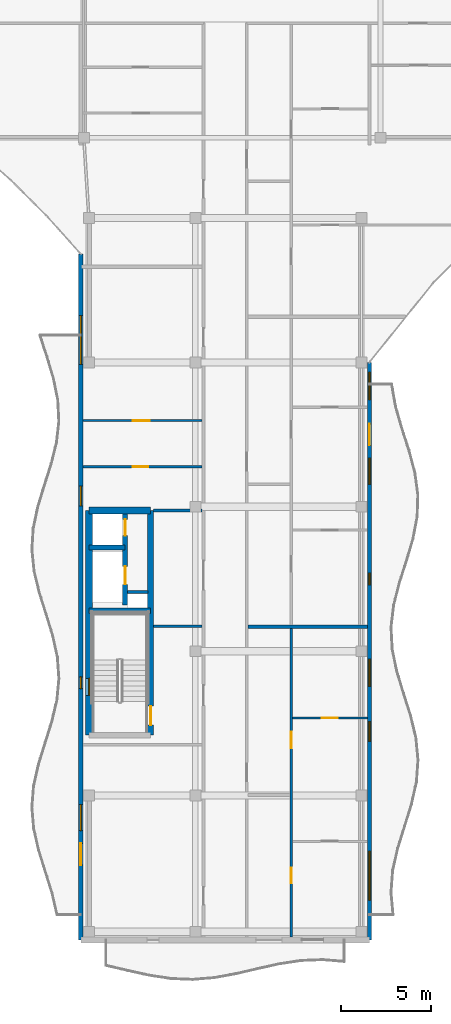
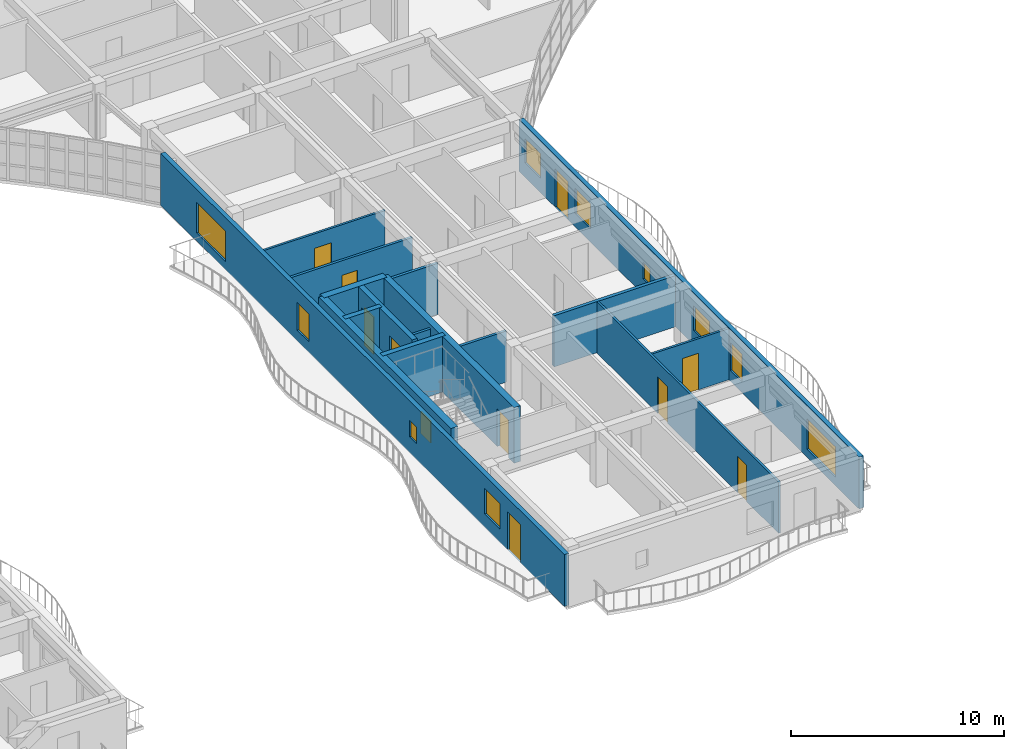
# One storey, part 32 of 76: 16 walls, 11 windows, 10 doors, 21 openings.
"""IFC4 building model written with IfcOpenShell, lengths in metres."""

from ifc_helpers import new_model, si_unit, direction, frame, frame_2d, origin, place, context, subcontext, project, spatial, rectangle, extrude, material, layer, layer_set, type_object, element, fill, save


model = new_model("IFC4")

# Units and contexts
model_context = context("Model", 3, precision=1e-05, world=origin(), true_north=direction((0.0, 1.0)))
body_context = subcontext(model_context, "Body", "Model", "MODEL_VIEW")
ifc_project = project(units=[si_unit("LENGTHUNIT", "METRE"), si_unit("AREAUNIT", "SQUARE_METRE"), si_unit("VOLUMEUNIT", "CUBIC_METRE"), si_unit("PLANEANGLEUNIT", "RADIAN"), si_unit("MASSUNIT", "GRAM", prefix="KILO")], contexts=[model_context])

# Site, building, storey
site_placement = place(None, origin())
site = spatial("IfcSite", under=ifc_project, at=site_placement, CompositionType="ELEMENT")
building_placement = place(site_placement, origin())
building = spatial("IfcBuilding", under=site, at=building_placement, Name="Keldmere Railside Commons", CompositionType="ELEMENT")
storey_placement = place(building_placement, frame((0.0, 0.0, 13.760009765625)))
storey = spatial("IfcBuildingStorey", under=building, at=storey_placement, Name="L04", CompositionType="ELEMENT", Elevation=13.760009765625)

# Wall
ifc_material_1 = material(Name="Acoustic Gypsum Board Partition", Category="gypsum")
ifc_layer_1 = layer(ifc_material_1, 0.179931640625, Name="Acoustic Demising Partition 180")
ifc_layer_set_1 = layer_set([ifc_layer_1], Name="Acoustic Gypsum Board Partition")
wall_type_1 = type_object("IfcWallType", Name="Acoustic Demising Partition 180", PredefinedType="PARTITIONING", material=ifc_layer_set_1)
wall_1_placement = place(storey_placement, frame((57.280029296875, 73.35009765625, 0.0), z_axis=(0.0, 0.0, 1.0), x_axis=(1.0, 0.0, 0.0)))
element("IfcWall", 1, at=wall_1_placement, inside=storey, type_object=wall_type_1, Name="IW-1 IW-L04-0648", PredefinedType="PARTITIONING", context=body_context, shape_type="SweptSolid", body=[
    extrude(rectangle(XDim=6.599853515625, YDim=0.179931640625, at=frame_2d((3.2998046875, 0.0))), origin(), (0.0, 0.0, 1.0), 2.93505859375),
])

# Wall, openings, doors
ifc_layer_2 = layer(ifc_material_1, 0.1201171875, Name="Apartment Interior Partition 120")
ifc_layer_set_2 = layer_set([ifc_layer_2], Name="Acoustic Gypsum Board Partition")
wall_type_2 = type_object("IfcWallType", Name="Apartment Interior Partition 120", PredefinedType="PARTITIONING", material=ifc_layer_set_2)
wall_2_placement = place(storey_placement, frame((59.659912109375, 56.159912109375, 0.0), z_axis=(0.0, 0.0, 1.0), x_axis=(0.0, 1.0, 0.0)))
wall_2 = element("IfcWall", 2, at=wall_2_placement, inside=storey, type_object=wall_type_2, Name="IW-4 IW-L04-0650", PredefinedType="PARTITIONING", context=body_context, shape_type="SweptSolid", body=[
    extrude(rectangle(XDim=17.10009765625, YDim=0.1201171875, at=frame_2d((8.550048828125, 0.0))), origin(), (0.0, 0.0, 1.0), 2.93505859375),
])
opening_1_placement = place(wall_2_placement, frame((2.990478515625, 0.0, 0.0)))
opening_1 = element("IfcOpeningElement", 3, at=opening_1_placement, cuts=wall_2, Name="Opening ID-04", PredefinedType="OPENING", context=body_context, shape_type="SweptSolid", body=[
    extrude(rectangle(XDim=0.860107421875, YDim=2.10009765625, at=frame_2d((0.43017578125, 1.050048828125))), frame((0.0, 0.070068359375, 0.0), z_axis=(0.0, -1.0, 0.0), x_axis=(1.0, 0.0, 0.0)), (0.0, 0.0, 1.0), 0.14013671875),
])
opening_2_placement = place(wall_2_placement, frame((10.454345703125, 0.0, 0.0)))
opening_2 = element("IfcOpeningElement", 4, at=opening_2_placement, cuts=wall_2, Name="Opening ID-03", PredefinedType="OPENING", context=body_context, shape_type="SweptSolid", body=[
    extrude(rectangle(XDim=0.919921875, YDim=2.10009765625, at=frame_2d((0.4599609375, 1.050048828125))), frame((0.0, 0.070068359375, 0.0), z_axis=(0.0, -1.0, 0.0), x_axis=(1.0, 0.0, 0.0)), (0.0, 0.0, 1.0), 0.14013671875),
])
ifc_material_2 = material(Name="Engineered Oak Timber", Category="wood")
door_type_1 = type_object("IfcDoorType", Name="Apartment Bathroom Door 860x2100", OperationType="NOTDEFINED", PredefinedType="DOOR", material=ifc_material_2)
door_1_placement = place(opening_1_placement, origin())
door_1 = element("IfcDoor", 5, at=door_1_placement, inside=storey, type_object=door_type_1, Name="ID-04 IDR-L04-0534", OperationType="SINGLE_SWING_RIGHT", OverallHeight=2.10009765625, OverallWidth=0.860107421875, PredefinedType="DOOR", context=body_context, shape_type="SweptSolid", body=[
    extrude(rectangle(XDim=0.860107421875, YDim=2.10009765625, at=frame_2d((0.43017578125, 1.050048828125))), frame((0.0, 0.02490234375, 0.0), z_axis=(0.0, -1.0, 0.0), x_axis=(1.0, 0.0, 0.0)), (0.0, 0.0, 1.0), 0.050048828125),
])
fill(opening_1, door_1)
door_type_2 = type_object("IfcDoorType", Name="Kitchen Pocket-Frame Swing Door 920x2100", OperationType="NOTDEFINED", PredefinedType="DOOR", material=ifc_material_2)
door_2_placement = place(opening_2_placement, origin())
door_2 = element("IfcDoor", 6, at=door_2_placement, inside=storey, type_object=door_type_2, Name="ID-03 IDR-L04-0535", OperationType="SINGLE_SWING_LEFT", OverallHeight=2.10009765625, OverallWidth=0.919921875, PredefinedType="DOOR", context=body_context, shape_type="SweptSolid", body=[
    extrude(rectangle(XDim=0.919921875, YDim=2.10009765625, at=frame_2d((0.4599609375, 1.050048828125))), frame((0.0, 0.02490234375, 0.0), z_axis=(0.0, -1.0, 0.0), x_axis=(1.0, 0.0, 0.0)), (0.0, 0.0, 1.0), 0.050048828125),
])
fill(opening_2, door_2)

# Wall, opening, door
wall_3_placement = place(storey_placement, frame((59.719970703125, 68.300048828125, 0.0), z_axis=(0.0, 0.0, 1.0), x_axis=(1.0, 0.0, 0.0)))
wall_3 = element("IfcWall", 7, at=wall_3_placement, inside=storey, type_object=wall_type_2, Name="IW-4 IW-L04-0653", PredefinedType="PARTITIONING", context=body_context, shape_type="SweptSolid", body=[
    extrude(rectangle(XDim=4.159912109375, YDim=0.1201171875, at=frame_2d((2.080078125, 0.0))), origin(), (0.0, 0.0, 1.0), 2.93505859375),
])
opening_3_placement = place(wall_3_placement, frame((1.639892578125, 0.0, 0.0)))
opening_3 = element("IfcOpeningElement", 8, at=opening_3_placement, cuts=wall_3, Name="Opening ID-02", PredefinedType="OPENING", context=body_context, shape_type="SweptSolid", body=[
    extrude(rectangle(XDim=0.8798828125, YDim=2.10009765625, at=frame_2d((0.43994140625, 1.050048828125))), frame((0.0, 0.070068359375, 0.0), z_axis=(0.0, -1.0, 0.0), x_axis=(1.0, 0.0, 0.0)), (0.0, 0.0, 1.0), 0.14013671875),
])
door_type_3 = type_object("IfcDoorType", Name="Secondary Bedroom Door 880x2100", OperationType="NOTDEFINED", PredefinedType="DOOR", material=ifc_material_2)
door_3_placement = place(opening_3_placement, origin())
door_3 = element("IfcDoor", 9, at=door_3_placement, inside=storey, type_object=door_type_3, Name="ID-02 IDR-L04-0538", OperationType="SINGLE_SWING_RIGHT", OverallHeight=2.10009765625, OverallWidth=0.8798828125, PredefinedType="DOOR", context=body_context, shape_type="SweptSolid", body=[
    extrude(rectangle(XDim=0.8798828125, YDim=2.10009765625, at=frame_2d((0.43994140625, 1.050048828125))), frame((0.0, 0.02490234375, 0.0), z_axis=(0.0, -1.0, 0.0), x_axis=(1.0, 0.0, 0.0)), (0.0, 0.0, 1.0), 0.050048828125),
])
fill(opening_3, door_3)

wall_4_placement = place(storey_placement, frame((48.1201171875, 84.780029296875, 0.0), z_axis=(0.0, 0.0, 1.0), x_axis=(1.0, 0.0, 0.0)))
wall_4 = element("IfcWall", 10, at=wall_4_placement, inside=storey, type_object=wall_type_2, Name="IW-4 IW-L04-0678", PredefinedType="PARTITIONING", context=body_context, shape_type="SweptSolid", body=[
    extrude(rectangle(XDim=6.599853515625, YDim=0.1201171875, at=frame_2d((3.2998046875, 0.0))), origin(), (0.0, 0.0, 1.0), 2.93505859375),
])
opening_4_placement = place(wall_4_placement, frame((2.77197265625, 0.0, 0.0)))
opening_4 = element("IfcOpeningElement", 11, at=opening_4_placement, cuts=wall_4, Name="Opening ID-03", PredefinedType="OPENING", context=body_context, shape_type="SweptSolid", body=[
    extrude(rectangle(XDim=0.919921875, YDim=2.10009765625, at=frame_2d((0.4599609375, 1.050048828125))), frame((0.0, 0.070068359375, 0.0), z_axis=(0.0, -1.0, 0.0), x_axis=(1.0, 0.0, 0.0)), (0.0, 0.0, 1.0), 0.14013671875),
])
door_4_placement = place(opening_4_placement, origin())
door_4 = element("IfcDoor", 12, at=door_4_placement, inside=storey, type_object=door_type_2, Name="ID-03 IDR-L04-0570", OperationType="SINGLE_SWING_RIGHT", OverallHeight=2.10009765625, OverallWidth=0.919921875, PredefinedType="DOOR", context=body_context, shape_type="SweptSolid", body=[
    extrude(rectangle(XDim=0.919921875, YDim=2.10009765625, at=frame_2d((0.4599609375, 1.050048828125))), frame((0.0, 0.02490234375, 0.0), z_axis=(0.0, -1.0, 0.0), x_axis=(1.0, 0.0, 0.0)), (0.0, 0.0, 1.0), 0.050048828125),
])
fill(opening_4, door_4)

# Walls
ifc_material_3 = material(Name="Concrete H-35 (C35/45)", Category="concrete")
ifc_layer_3 = layer(ifc_material_3, 0.280029296875, Name="Core Shear Wall 280")
ifc_layer_set_3 = layer_set([ifc_layer_3], Name="Concrete H-35 (C35/45)")
wall_type_3 = type_object("IfcWallType", Name="Core Shear Wall 280", PredefinedType="SHEAR", material=ifc_layer_set_3)
wall_5_placement = place(storey_placement, frame((48.4599609375, 74.239990234375, 0.0), z_axis=(0.0, 0.0, 1.0), x_axis=(1.0, 0.0, 0.0)))
element("IfcWall", 13, at=wall_5_placement, inside=storey, type_object=wall_type_3, Name="CSW-2 CORECM-L04-0250", PredefinedType="SHEAR", context=body_context, shape_type="SweptSolid", body=[
    extrude(rectangle(XDim=3.41015625, YDim=0.280029296875, at=frame_2d((1.705078125, 0.0))), origin(), (0.0, 0.0, 1.0), 3.199951171875),
])
wall_6_placement = place(storey_placement, frame((48.4599609375, 77.75, 0.0), z_axis=(0.0, 0.0, 1.0), x_axis=(1.0, 0.0, 0.0)))
element("IfcWall", 14, at=wall_6_placement, inside=storey, type_object=wall_type_3, Name="CSW-2 CORECL-L04-0251", PredefinedType="SHEAR", context=body_context, shape_type="SweptSolid", body=[
    extrude(rectangle(XDim=2.0, YDim=0.280029296875, at=frame_2d((1.0, 0.0))), origin(), (0.0, 0.0, 1.0), 3.199951171875),
])

# Wall, openings, doors
wall_7_placement = place(storey_placement, frame((50.4599609375, 74.550048828125, 0.0), z_axis=(0.0, 0.0, 1.0), x_axis=(0.0, 1.0, 0.0)))
wall_7 = element("IfcWall", 15, at=wall_7_placement, inside=storey, type_object=wall_type_3, Name="CSW-2 LSHC-L04-0252", PredefinedType="SHEAR", context=body_context, shape_type="SweptSolid", body=[
    extrude(rectangle(XDim=5.25, YDim=0.280029296875, at=frame_2d((2.625, 0.0))), origin(), (0.0, 0.0, 1.0), 3.199951171875),
])
opening_5_placement = place(wall_7_placement, frame((1.14990234375, 0.0, 0.0)))
opening_5 = element("IfcOpeningElement", 16, at=opening_5_placement, cuts=wall_7, Name="Opening LD-1", PredefinedType="OPENING", context=body_context, shape_type="SweptSolid", body=[
    extrude(rectangle(XDim=1.0, YDim=2.14990234375, at=frame_2d((0.5, 1.074951171875))), frame((0.0, 0.14990234375, 0.0), z_axis=(0.0, -1.0, 0.0), x_axis=(1.0, 0.0, 0.0)), (0.0, 0.0, 1.0), 0.300048828125),
])
opening_6_placement = place(wall_7_placement, frame((3.85009765625, 0.0, 0.0)))
opening_6 = element("IfcOpeningElement", 17, at=opening_6_placement, cuts=wall_7, Name="Opening LD-2", PredefinedType="OPENING", context=body_context, shape_type="SweptSolid", body=[
    extrude(rectangle(XDim=0.89990234375, YDim=2.14990234375, at=frame_2d((0.449951171875, 1.074951171875))), frame((0.0, 0.14990234375, 0.0), z_axis=(0.0, -1.0, 0.0), x_axis=(1.0, 0.0, 0.0)), (0.0, 0.0, 1.0), 0.300048828125),
])
ifc_material_4 = material(Name="Steel F-24 (S235)", Category="steel")
door_type_4 = type_object("IfcDoorType", Name="Firefighting Stretcher Lift Landing Door 1000x2150", OperationType="SLIDING_TO_LEFT", PredefinedType="DOOR", material=ifc_material_4)
door_5_placement = place(opening_5_placement, origin())
door_5 = element("IfcDoor", 18, at=door_5_placement, inside=storey, type_object=door_type_4, Name="LD-1 C L04", OperationType="SLIDING_TO_LEFT", OverallHeight=2.14990234375, OverallWidth=1.0, PredefinedType="DOOR", context=body_context, shape_type="SweptSolid", body=[
    extrude(rectangle(XDim=1.0, YDim=2.14990234375, at=frame_2d((0.5, 1.074951171875))), frame((0.0, 0.02490234375, 0.0), z_axis=(0.0, -1.0, 0.0), x_axis=(1.0, 0.0, 0.0)), (0.0, 0.0, 1.0), 0.050048828125),
])
fill(opening_5, door_5)
door_type_5 = type_object("IfcDoorType", Name="Passenger Lift Sliding Landing Door 900x2150", OperationType="SLIDING_TO_RIGHT", PredefinedType="DOOR", material=ifc_material_4)
door_6_placement = place(opening_6_placement, origin())
door_6 = element("IfcDoor", 19, at=door_6_placement, inside=storey, type_object=door_type_5, Name="LD-2 C L04", OperationType="SLIDING_TO_RIGHT", OverallHeight=2.14990234375, OverallWidth=0.89990234375, PredefinedType="DOOR", context=body_context, shape_type="SweptSolid", body=[
    extrude(rectangle(XDim=0.89990234375, YDim=2.14990234375, at=frame_2d((0.449951171875, 1.074951171875))), frame((0.0, 0.02490234375, 0.0), z_axis=(0.0, -1.0, 0.0), x_axis=(1.0, 0.0, 0.0)), (0.0, 0.0, 1.0), 0.050048828125),
])
fill(opening_6, door_6)

# Wall, opening, window
ifc_material_5 = material(Name="Concrete H-40 (C40/50)", Category="concrete")
ifc_layer_4 = layer(ifc_material_5, 0.3798828125, Name="Core Shear Wall 380")
ifc_layer_set_4 = layer_set([ifc_layer_4], Name="Concrete H-40 (C40/50)")
wall_type_4 = type_object("IfcWallType", Name="Core Shear Wall 380", PredefinedType="SHEAR", material=ifc_layer_set_4)
wall_8_placement = place(storey_placement, frame((48.4599609375, 67.35009765625, 0.0), z_axis=(0.0, 0.0, 1.0), x_axis=(0.0, 1.0, 0.0)))
wall_8 = element("IfcWall", 20, at=wall_8_placement, inside=storey, type_object=wall_type_4, Name="CW-CORE CORECW-L04-0246", PredefinedType="SHEAR", context=body_context, shape_type="SweptSolid", body=[
    extrude(rectangle(XDim=12.449951171875, YDim=0.3798828125, at=frame_2d((6.22509765625, 0.0))), origin(), (0.0, 0.0, 1.0), 3.199951171875),
])
opening_7_placement = place(wall_8_placement, frame((2.199951171875, 0.0, 0.969970703125)))
opening_7 = element("IfcOpeningElement", 21, at=opening_7_placement, cuts=wall_8, Name="Opening WN-17", PredefinedType="OPENING", context=body_context, shape_type="SweptSolid", body=[
    extrude(rectangle(XDim=0.949951171875, YDim=1.25, at=frame_2d((0.47509765625, 0.625))), frame((0.0, 0.199951171875, 0.0), z_axis=(0.0, -1.0, 0.0), x_axis=(1.0, 0.0, 0.0)), (0.0, 0.0, 1.0), 0.39990234375),
])
ifc_material_6 = material(Name="Low-E Insulated Double Glazing", Category="glass")
window_type_1 = type_object("IfcWindowType", Name="Stair Core Natural Smoke-Vent Window 950x1250", PartitioningType="SINGLE_PANEL", PredefinedType="WINDOW", material=ifc_material_6)
window_1_placement = place(opening_7_placement, origin())
window_1 = element("IfcWindow", 22, at=window_1_placement, inside=storey, type_object=window_type_1, Name="WN-17 WIN-L04-0150", OverallHeight=1.25, OverallWidth=0.949951171875, PartitioningType="SINGLE_PANEL", PredefinedType="WINDOW", context=body_context, shape_type="SweptSolid", body=[
    extrude(rectangle(XDim=0.949951171875, YDim=1.25, at=frame_2d((0.47509765625, 0.625))), frame((0.0, 0.030029296875, 0.0), z_axis=(0.0, -1.0, 0.0), x_axis=(1.0, 0.0, 0.0)), (0.0, 0.0, 1.0), 0.06005859375),
])
fill(opening_7, window_1)

# Wall
wall_9_placement = place(storey_placement, frame((48.4599609375, 79.800048828125, 0.0), z_axis=(0.0, 0.0, 1.0), x_axis=(1.0, 0.0, 0.0)))
element("IfcWall", 23, at=wall_9_placement, inside=storey, type_object=wall_type_4, Name="CW-CORE CORECN-L04-0247", PredefinedType="SHEAR", context=body_context, shape_type="SweptSolid", body=[
    extrude(rectangle(XDim=3.41015625, YDim=0.3798828125, at=frame_2d((1.705078125, 0.0))), origin(), (0.0, 0.0, 1.0), 3.199951171875),
])

# Wall, opening, door
ifc_layer_5 = layer(ifc_material_3, 0.340087890625, Name="Interior Shear Wall 340")
ifc_layer_set_5 = layer_set([ifc_layer_5], Name="Concrete H-35 (C35/45)")
wall_type_5 = type_object("IfcWallType", Name="Interior Shear Wall 340", PredefinedType="SHEAR", material=ifc_layer_set_5)
wall_10_placement = place(storey_placement, frame((51.8701171875, 79.800048828125, 0.0), z_axis=(0.0, 0.0, 1.0), x_axis=(0.0, -1.0, 0.0)))
wall_10 = element("IfcWall", 24, at=wall_10_placement, inside=storey, type_object=wall_type_5, Name="ISW-1 CORECE-L04-0248", PredefinedType="SHEAR", context=body_context, shape_type="SweptSolid", body=[
    extrude(rectangle(XDim=12.449951171875, YDim=0.340087890625, at=frame_2d((6.22509765625, 0.0))), origin(), (0.0, 0.0, 1.0), 3.199951171875),
])
opening_8_placement = place(wall_10_placement, frame((10.85009765625, 0.0, 0.0)))
opening_8 = element("IfcOpeningElement", 25, at=opening_8_placement, cuts=wall_10, Name="Opening FD-1", PredefinedType="OPENING", context=body_context, shape_type="SweptSolid", body=[
    extrude(rectangle(XDim=1.050048828125, YDim=2.14990234375, at=frame_2d((0.52490234375, 1.074951171875))), frame((0.0, 0.179931640625, 0.0), z_axis=(0.0, -1.0, 0.0), x_axis=(1.0, 0.0, 0.0)), (0.0, 0.0, 1.0), 0.360107421875),
])
door_type_6 = type_object("IfcDoorType", Name="Stair Core Fire Door 1050x2150", OperationType="NOTDEFINED", PredefinedType="DOOR", material=ifc_material_4)
door_7_placement = place(opening_8_placement, origin())
door_7 = element("IfcDoor", 26, at=door_7_placement, inside=storey, type_object=door_type_6, Name="FD-1 C1 L04", OperationType="SINGLE_SWING_LEFT", OverallHeight=2.14990234375, OverallWidth=1.050048828125, PredefinedType="DOOR", context=body_context, shape_type="SweptSolid", body=[
    extrude(rectangle(XDim=1.050048828125, YDim=2.14990234375, at=frame_2d((0.52490234375, 1.074951171875))), frame((0.0, 0.02490234375, 0.0), z_axis=(0.0, -1.0, 0.0), x_axis=(1.0, 0.0, 0.0)), (0.0, 0.0, 1.0), 0.050048828125),
])
fill(opening_8, door_7)

# Walls
ifc_layer_6 = layer(ifc_material_1, 0.14990234375, Name="Lobby Rated Partition 150")
ifc_layer_set_6 = layer_set([ifc_layer_6], Name="Acoustic Gypsum Board Partition")
wall_type_6 = type_object("IfcWallType", Name="Lobby Rated Partition 150", PredefinedType="PARTITIONING", material=ifc_layer_set_6)
wall_11_placement = place(storey_placement, frame((50.60009765625, 75.280029296875, 0.0), z_axis=(0.0, 0.0, 1.0), x_axis=(1.0, 0.0, 0.0)))
element("IfcWall", 27, at=wall_11_placement, inside=storey, type_object=wall_type_6, Name="IW-3 RSRNC-L04-0253", PredefinedType="PARTITIONING", context=body_context, shape_type="SweptSolid", body=[
    extrude(rectangle(XDim=1.1298828125, YDim=0.14990234375, at=frame_2d((0.56494140625, 0.0))), origin(), (0.0, 0.0, 1.0), 2.949951171875),
])
for number, where, z_axis, x_axis, name in (
    (28, (52.0400390625, 73.3798828125, 0.0), (0.0, 0.0, 1.0), (1.0, 0.0, 0.0), "IW-3 IW-L04-0637"),
    (29, (52.0400390625, 79.800048828125, 0.0), (0.0, 0.0, 1.0), (1.0, 0.0, 0.0), "IW-3 IW-L04-0638"),
):
    element("IfcWall", number, at=place(storey_placement, frame(where, z_axis=z_axis, x_axis=x_axis)), inside=storey, type_object=wall_type_6, Name=name, PredefinedType="PARTITIONING", context=body_context, shape_type="SweptSolid", body=[
        extrude(rectangle(XDim=2.679931640625, YDim=0.14990234375, at=frame_2d((1.33984375, 0.0))), origin(), (0.0, 0.0, 1.0), 2.93505859375),
    ])

# Wall, openings, door, windows
ifc_material_7 = material(Name="Architectural Precast Concrete H-35 (C35/45)", Category="concrete")
ifc_layer_7 = layer(ifc_material_7, 0.239990234375, Name="Sand-Ochre Precast Cavity Wall 240")
ifc_layer_set_7 = layer_set([ifc_layer_7], Name="Architectural Precast Concrete H-35 (C35/45)")
wall_type_7 = type_object("IfcWallType", Name="Sand-Ochre Precast Cavity Wall 240", PredefinedType="SOLIDWALL", material=ifc_layer_set_7)
wall_12_placement = place(storey_placement, frame((64.0, 88.0, 0.0), z_axis=(0.0, 0.0, 1.0), x_axis=(0.0, -1.0, 0.0)))
wall_12 = element("IfcWall", 30, at=wall_12_placement, inside=storey, type_object=wall_type_7, Name="EW-2 EXTC-L04-0354", PredefinedType="SOLIDWALL", context=body_context, shape_type="SweptSolid", body=[
    extrude(rectangle(XDim=32.0, YDim=0.239990234375, at=frame_2d((16.0, 0.0))), origin(), (0.0, 0.0, 1.0), 2.97998046875),
])
opening_9_placement = place(wall_12_placement, frame((3.39990234375, 0.0, 0.0)))
opening_9 = element("IfcOpeningElement", 31, at=opening_9_placement, cuts=wall_12, Name="Opening BD-01", PredefinedType="OPENING", context=body_context, shape_type="SweptSolid", body=[
    extrude(rectangle(XDim=1.199951171875, YDim=2.199951171875, at=frame_2d((0.60009765625, 1.10009765625))), frame((0.0, 0.1298828125, 0.0), z_axis=(0.0, -1.0, 0.0), x_axis=(1.0, 0.0, 0.0)), (0.0, 0.0, 1.0), 0.260009765625),
])
opening_10_placement = place(wall_12_placement, frame((5.300048828125, 0.0, 0.77001953125)))
opening_10 = element("IfcOpeningElement", 32, at=opening_10_placement, cuts=wall_12, Name="Opening WN-24", PredefinedType="OPENING", context=body_context, shape_type="SweptSolid", body=[
    extrude(rectangle(XDim=1.449951171875, YDim=1.449951171875, at=frame_2d((0.72509765625, 0.72509765625))), frame((0.0, 0.1298828125, 0.0), z_axis=(0.0, -1.0, 0.0), x_axis=(1.0, 0.0, 0.0)), (0.0, 0.0, 1.0), 0.260009765625),
])
opening_11_placement = place(wall_12_placement, frame((11.675048828125, 0.0, 0.89990234375)))
opening_11 = element("IfcOpeningElement", 33, at=opening_11_placement, cuts=wall_12, Name="Opening WN-15", PredefinedType="OPENING", context=body_context, shape_type="SweptSolid", body=[
    extrude(rectangle(XDim=0.64990234375, YDim=0.949951171875, at=frame_2d((0.324951171875, 0.47509765625))), frame((0.0, 0.1298828125, 0.0), z_axis=(0.0, -1.0, 0.0), x_axis=(1.0, 0.0, 0.0)), (0.0, 0.0, 1.0), 0.260009765625),
])
opening_12_placement = place(wall_12_placement, frame((19.89990234375, 0.0, 0.6201171875)))
opening_12 = element("IfcOpeningElement", 34, at=opening_12_placement, cuts=wall_12, Name="Opening WN-16", PredefinedType="OPENING", context=body_context, shape_type="SweptSolid", body=[
    extrude(rectangle(XDim=1.10009765625, YDim=1.60009765625, at=frame_2d((0.550048828125, 0.800048828125))), frame((0.0, 0.1298828125, 0.0), z_axis=(0.0, -1.0, 0.0), x_axis=(1.0, 0.0, 0.0)), (0.0, 0.0, 1.0), 0.260009765625),
])
opening_13_placement = place(wall_12_placement, frame((27.10009765625, 0.0, 0.469970703125)))
opening_13 = element("IfcOpeningElement", 35, at=opening_13_placement, cuts=wall_12, Name="Opening WN-19", PredefinedType="OPENING", context=body_context, shape_type="SweptSolid", body=[
    extrude(rectangle(XDim=2.699951171875, YDim=1.75, at=frame_2d((1.35009765625, 0.875))), frame((0.0, 0.1298828125, 0.0), z_axis=(0.0, -1.0, 0.0), x_axis=(1.0, 0.0, 0.0)), (0.0, 0.0, 1.0), 0.260009765625),
])
opening_14_placement = place(wall_12_placement, frame((16.445068359375, 0.0, 0.820068359375)))
opening_14 = element("IfcOpeningElement", 36, at=opening_14_placement, cuts=wall_12, Name="Opening WN-06", PredefinedType="OPENING", context=body_context, shape_type="SweptSolid", body=[
    extrude(rectangle(XDim=1.5, YDim=1.39990234375, at=frame_2d((0.75, 0.699951171875))), frame((0.0, 0.1298828125, 0.0), z_axis=(0.0, -1.0, 0.0), x_axis=(1.0, 0.0, 0.0)), (0.0, 0.0, 1.0), 0.260009765625),
])
opening_15_placement = place(wall_12_placement, frame((0.554931640625, 0.0, 0.820068359375)))
opening_15 = element("IfcOpeningElement", 37, at=opening_15_placement, cuts=wall_12, Name="Opening WN-06", PredefinedType="OPENING", context=body_context, shape_type="SweptSolid", body=[
    extrude(rectangle(XDim=1.5, YDim=1.39990234375, at=frame_2d((0.75, 0.699951171875))), frame((0.0, 0.1298828125, 0.0), z_axis=(0.0, -1.0, 0.0), x_axis=(1.0, 0.0, 0.0)), (0.0, 0.0, 1.0), 0.260009765625),
])
ifc_material_8 = material(Name="Thermally Broken Aluminium", Category="aluminium")
door_type_7 = type_object("IfcDoorType", Name="Apartment Living Wave-Balcony Glazed Door 1200x2200", OperationType="NOTDEFINED", PredefinedType="DOOR", material=ifc_material_8)
door_8_placement = place(opening_9_placement, origin())
door_8 = element("IfcDoor", 38, at=door_8_placement, inside=storey, type_object=door_type_7, Name="BD-01 DR-L04-0078", OperationType="SINGLE_SWING_RIGHT", OverallHeight=2.199951171875, OverallWidth=1.199951171875, PredefinedType="DOOR", context=body_context, shape_type="SweptSolid", body=[
    extrude(rectangle(XDim=1.199951171875, YDim=2.199951171875, at=frame_2d((0.60009765625, 1.10009765625))), frame((0.0, 0.02490234375, 0.0), z_axis=(0.0, -1.0, 0.0), x_axis=(1.0, 0.0, 0.0)), (0.0, 0.0, 1.0), 0.050048828125),
])
fill(opening_9, door_8)
window_type_2 = type_object("IfcWindowType", Name="Corridor End Daylight Window 1100x1600", PartitioningType="SINGLE_PANEL", PredefinedType="WINDOW", material=ifc_material_6)
window_2_placement = place(opening_12_placement, origin())
window_2 = element("IfcWindow", 39, at=window_2_placement, inside=storey, type_object=window_type_2, Name="WN-16 WIN-L04-0232", OverallHeight=1.60009765625, OverallWidth=1.10009765625, PartitioningType="SINGLE_PANEL", PredefinedType="WINDOW", context=body_context, shape_type="SweptSolid", body=[
    extrude(rectangle(XDim=1.10009765625, YDim=1.60009765625, at=frame_2d((0.550048828125, 0.800048828125))), frame((0.0, 0.030029296875, 0.0), z_axis=(0.0, -1.0, 0.0), x_axis=(1.0, 0.0, 0.0)), (0.0, 0.0, 1.0), 0.06005859375),
])
fill(opening_12, window_2)
window_type_3 = type_object("IfcWindowType", Name="Exterior Bathroom Frosted Window 650x950", PartitioningType="SINGLE_PANEL", PredefinedType="WINDOW", material=ifc_material_6)
window_3_placement = place(opening_11_placement, origin())
window_3 = element("IfcWindow", 40, at=window_3_placement, inside=storey, type_object=window_type_3, Name="WN-15 WIN-L04-0231", OverallHeight=0.949951171875, OverallWidth=0.64990234375, PartitioningType="SINGLE_PANEL", PredefinedType="WINDOW", context=body_context, shape_type="SweptSolid", body=[
    extrude(rectangle(XDim=0.64990234375, YDim=0.949951171875, at=frame_2d((0.324951171875, 0.47509765625))), frame((0.0, 0.030029296875, 0.0), z_axis=(0.0, -1.0, 0.0), x_axis=(1.0, 0.0, 0.0)), (0.0, 0.0, 1.0), 0.06005859375),
])
fill(opening_11, window_3)
window_type_4 = type_object("IfcWindowType", Name="Primary Bedroom North Window 1500x1400", PartitioningType="SINGLE_PANEL", PredefinedType="WINDOW", material=ifc_material_6)
window_4_placement = place(opening_14_placement, origin())
window_4 = element("IfcWindow", 41, at=window_4_placement, inside=storey, type_object=window_type_4, Name="WN-06 WIN-L04-9031", OverallHeight=1.39990234375, OverallWidth=1.5, PartitioningType="SINGLE_PANEL", PredefinedType="WINDOW", context=body_context, shape_type="SweptSolid", body=[
    extrude(rectangle(XDim=1.5, YDim=1.39990234375, at=frame_2d((0.75, 0.699951171875))), frame((0.0, 0.030029296875, 0.0), z_axis=(0.0, -1.0, 0.0), x_axis=(1.0, 0.0, 0.0)), (0.0, 0.0, 1.0), 0.06005859375),
])
fill(opening_14, window_4)
window_5_placement = place(opening_15_placement, origin())
window_5 = element("IfcWindow", 42, at=window_5_placement, inside=storey, type_object=window_type_4, Name="WN-06 WIN-L04-9032", OverallHeight=1.39990234375, OverallWidth=1.5, PartitioningType="SINGLE_PANEL", PredefinedType="WINDOW", context=body_context, shape_type="SweptSolid", body=[
    extrude(rectangle(XDim=1.5, YDim=1.39990234375, at=frame_2d((0.75, 0.699951171875))), frame((0.0, 0.030029296875, 0.0), z_axis=(0.0, -1.0, 0.0), x_axis=(1.0, 0.0, 0.0)), (0.0, 0.0, 1.0), 0.06005859375),
])
fill(opening_15, window_5)
window_type_5 = type_object("IfcWindowType", Name="Resident Lounge Panorama Window 2700x1750", PartitioningType="SINGLE_PANEL", PredefinedType="WINDOW", material=ifc_material_6)
window_6_placement = place(opening_13_placement, origin())
window_6 = element("IfcWindow", 43, at=window_6_placement, inside=storey, type_object=window_type_5, Name="WN-19 WIN-L04-0233", OverallHeight=1.75, OverallWidth=2.699951171875, PartitioningType="SINGLE_PANEL", PredefinedType="WINDOW", context=body_context, shape_type="SweptSolid", body=[
    extrude(rectangle(XDim=2.699951171875, YDim=1.75, at=frame_2d((1.35009765625, 0.875))), frame((0.0, 0.030029296875, 0.0), z_axis=(0.0, -1.0, 0.0), x_axis=(1.0, 0.0, 0.0)), (0.0, 0.0, 1.0), 0.06005859375),
])
fill(opening_13, window_6)
window_type_6 = type_object("IfcWindowType", Name="Setback Terrace Bedroom Window 1450x1450", PartitioningType="SINGLE_PANEL", PredefinedType="WINDOW", material=ifc_material_6)
window_7_placement = place(opening_10_placement, origin())
window_7 = element("IfcWindow", 44, at=window_7_placement, inside=storey, type_object=window_type_6, Name="WN-24 WIN-L04-0230", OverallHeight=1.449951171875, OverallWidth=1.449951171875, PartitioningType="SINGLE_PANEL", PredefinedType="WINDOW", context=body_context, shape_type="SweptSolid", body=[
    extrude(rectangle(XDim=1.449951171875, YDim=1.449951171875, at=frame_2d((0.72509765625, 0.72509765625))), frame((0.0, 0.030029296875, 0.0), z_axis=(0.0, -1.0, 0.0), x_axis=(1.0, 0.0, 0.0)), (0.0, 0.0, 1.0), 0.06005859375),
])
fill(opening_10, window_7)

wall_13_placement = place(storey_placement, frame((48.0, 56.0, 0.0), z_axis=(0.0, 0.0, 1.0), x_axis=(0.0, 1.0, 0.0)))
wall_13 = element("IfcWall", 45, at=wall_13_placement, inside=storey, type_object=wall_type_7, Name="EW-2 EXTC-L04-0360", PredefinedType="SOLIDWALL", context=body_context, shape_type="SweptSolid", body=[
    extrude(rectangle(XDim=38.0, YDim=0.239990234375, at=frame_2d((19.0, 0.0))), origin(), (0.0, 0.0, 1.0), 2.97998046875),
])
opening_16_placement = place(wall_13_placement, frame((4.14990234375, 0.0, 0.0)))
opening_16 = element("IfcOpeningElement", 46, at=opening_16_placement, cuts=wall_13, Name="Opening BD-01", PredefinedType="OPENING", context=body_context, shape_type="SweptSolid", body=[
    extrude(rectangle(XDim=1.199951171875, YDim=2.199951171875, at=frame_2d((0.60009765625, 1.10009765625))), frame((0.0, 0.1298828125, 0.0), z_axis=(0.0, -1.0, 0.0), x_axis=(1.0, 0.0, 0.0)), (0.0, 0.0, 1.0), 0.260009765625),
])
opening_17_placement = place(wall_13_placement, frame((6.050048828125, 0.0, 0.77001953125)))
opening_17 = element("IfcOpeningElement", 47, at=opening_17_placement, cuts=wall_13, Name="Opening WN-24", PredefinedType="OPENING", context=body_context, shape_type="SweptSolid", body=[
    extrude(rectangle(XDim=1.449951171875, YDim=1.449951171875, at=frame_2d((0.72509765625, 0.72509765625))), frame((0.0, 0.1298828125, 0.0), z_axis=(0.0, -1.0, 0.0), x_axis=(1.0, 0.0, 0.0)), (0.0, 0.0, 1.0), 0.260009765625),
])
opening_18_placement = place(wall_13_placement, frame((13.925048828125, 0.0, 0.89990234375)))
opening_18 = element("IfcOpeningElement", 48, at=opening_18_placement, cuts=wall_13, Name="Opening WN-15", PredefinedType="OPENING", context=body_context, shape_type="SweptSolid", body=[
    extrude(rectangle(XDim=0.64990234375, YDim=0.949951171875, at=frame_2d((0.324951171875, 0.47509765625))), frame((0.0, 0.1298828125, 0.0), z_axis=(0.0, -1.0, 0.0), x_axis=(1.0, 0.0, 0.0)), (0.0, 0.0, 1.0), 0.260009765625),
])
opening_19_placement = place(wall_13_placement, frame((24.050048828125, 0.0, 0.6201171875)))
opening_19 = element("IfcOpeningElement", 49, at=opening_19_placement, cuts=wall_13, Name="Opening WN-16", PredefinedType="OPENING", context=body_context, shape_type="SweptSolid", body=[
    extrude(rectangle(XDim=1.10009765625, YDim=1.60009765625, at=frame_2d((0.550048828125, 0.800048828125))), frame((0.0, 0.1298828125, 0.0), z_axis=(0.0, -1.0, 0.0), x_axis=(1.0, 0.0, 0.0)), (0.0, 0.0, 1.0), 0.260009765625),
])
opening_20_placement = place(wall_13_placement, frame((31.89990234375, 0.0, 0.469970703125)))
opening_20 = element("IfcOpeningElement", 50, at=opening_20_placement, cuts=wall_13, Name="Opening WN-19", PredefinedType="OPENING", context=body_context, shape_type="SweptSolid", body=[
    extrude(rectangle(XDim=2.699951171875, YDim=1.75, at=frame_2d((1.35009765625, 0.875))), frame((0.0, 0.1298828125, 0.0), z_axis=(0.0, -1.0, 0.0), x_axis=(1.0, 0.0, 0.0)), (0.0, 0.0, 1.0), 0.260009765625),
])
door_9_placement = place(opening_16_placement, origin())
door_9 = element("IfcDoor", 51, at=door_9_placement, inside=storey, type_object=door_type_7, Name="BD-01 DR-L04-0084", OperationType="SINGLE_SWING_RIGHT", OverallHeight=2.199951171875, OverallWidth=1.199951171875, PredefinedType="DOOR", context=body_context, shape_type="SweptSolid", body=[
    extrude(rectangle(XDim=1.199951171875, YDim=2.199951171875, at=frame_2d((0.60009765625, 1.10009765625))), frame((0.0, 0.02490234375, 0.0), z_axis=(0.0, -1.0, 0.0), x_axis=(1.0, 0.0, 0.0)), (0.0, 0.0, 1.0), 0.050048828125),
])
fill(opening_16, door_9)
window_8_placement = place(opening_19_placement, origin())
window_8 = element("IfcWindow", 52, at=window_8_placement, inside=storey, type_object=window_type_2, Name="WN-16 WIN-L04-0246", OverallHeight=1.60009765625, OverallWidth=1.10009765625, PartitioningType="SINGLE_PANEL", PredefinedType="WINDOW", context=body_context, shape_type="SweptSolid", body=[
    extrude(rectangle(XDim=1.10009765625, YDim=1.60009765625, at=frame_2d((0.550048828125, 0.800048828125))), frame((0.0, 0.030029296875, 0.0), z_axis=(0.0, -1.0, 0.0), x_axis=(1.0, 0.0, 0.0)), (0.0, 0.0, 1.0), 0.06005859375),
])
fill(opening_19, window_8)
window_9_placement = place(opening_18_placement, origin())
window_9 = element("IfcWindow", 53, at=window_9_placement, inside=storey, type_object=window_type_3, Name="WN-15 WIN-L04-0245", OverallHeight=0.949951171875, OverallWidth=0.64990234375, PartitioningType="SINGLE_PANEL", PredefinedType="WINDOW", context=body_context, shape_type="SweptSolid", body=[
    extrude(rectangle(XDim=0.64990234375, YDim=0.949951171875, at=frame_2d((0.324951171875, 0.47509765625))), frame((0.0, 0.030029296875, 0.0), z_axis=(0.0, -1.0, 0.0), x_axis=(1.0, 0.0, 0.0)), (0.0, 0.0, 1.0), 0.06005859375),
])
fill(opening_18, window_9)
window_10_placement = place(opening_20_placement, origin())
window_10 = element("IfcWindow", 54, at=window_10_placement, inside=storey, type_object=window_type_5, Name="WN-19 WIN-L04-0247", OverallHeight=1.75, OverallWidth=2.699951171875, PartitioningType="SINGLE_PANEL", PredefinedType="WINDOW", context=body_context, shape_type="SweptSolid", body=[
    extrude(rectangle(XDim=2.699951171875, YDim=1.75, at=frame_2d((1.35009765625, 0.875))), frame((0.0, 0.030029296875, 0.0), z_axis=(0.0, -1.0, 0.0), x_axis=(1.0, 0.0, 0.0)), (0.0, 0.0, 1.0), 0.06005859375),
])
fill(opening_20, window_10)
window_11_placement = place(opening_17_placement, origin())
window_11 = element("IfcWindow", 55, at=window_11_placement, inside=storey, type_object=window_type_6, Name="WN-24 WIN-L04-0244", OverallHeight=1.449951171875, OverallWidth=1.449951171875, PartitioningType="SINGLE_PANEL", PredefinedType="WINDOW", context=body_context, shape_type="SweptSolid", body=[
    extrude(rectangle(XDim=1.449951171875, YDim=1.449951171875, at=frame_2d((0.72509765625, 0.72509765625))), frame((0.0, 0.030029296875, 0.0), z_axis=(0.0, -1.0, 0.0), x_axis=(1.0, 0.0, 0.0)), (0.0, 0.0, 1.0), 0.06005859375),
])
fill(opening_17, window_11)

# Wall, opening, door
ifc_layer_8 = layer(ifc_material_1, 0.139892578125, Name="Wet-Room Sanitary Partition 140")
ifc_layer_set_8 = layer_set([ifc_layer_8], Name="Acoustic Gypsum Board Partition")
wall_type_8 = type_object("IfcWallType", Name="Wet-Room Sanitary Partition 140", PredefinedType="PARTITIONING", material=ifc_layer_set_8)
wall_14_placement = place(storey_placement, frame((48.1201171875, 82.22998046875, 0.0), z_axis=(0.0, 0.0, 1.0), x_axis=(1.0, 0.0, 0.0)))
wall_14 = element("IfcWall", 56, at=wall_14_placement, inside=storey, type_object=wall_type_8, Name="IW-5 IW-L04-0677", PredefinedType="PARTITIONING", context=body_context, shape_type="SweptSolid", body=[
    extrude(rectangle(XDim=6.599853515625, YDim=0.139892578125, at=frame_2d((3.2998046875, 0.0))), origin(), (0.0, 0.0, 1.0), 2.93505859375),
])
opening_21_placement = place(wall_14_placement, frame((2.77197265625, 0.0, 0.0)))
opening_21 = element("IfcOpeningElement", 57, at=opening_21_placement, cuts=wall_14, Name="Opening ID-04", PredefinedType="OPENING", context=body_context, shape_type="SweptSolid", body=[
    extrude(rectangle(XDim=0.860107421875, YDim=2.10009765625, at=frame_2d((0.43017578125, 1.050048828125))), frame((0.0, 0.079833984375, 0.0), z_axis=(0.0, -1.0, 0.0), x_axis=(1.0, 0.0, 0.0)), (0.0, 0.0, 1.0), 0.159912109375),
])
door_10_placement = place(opening_21_placement, origin())
door_10 = element("IfcDoor", 58, at=door_10_placement, inside=storey, type_object=door_type_1, Name="ID-04 IDR-L04-0569", OperationType="SINGLE_SWING_LEFT", OverallHeight=2.10009765625, OverallWidth=0.860107421875, PredefinedType="DOOR", context=body_context, shape_type="SweptSolid", body=[
    extrude(rectangle(XDim=0.860107421875, YDim=2.10009765625, at=frame_2d((0.43017578125, 1.050048828125))), frame((0.0, 0.02490234375, 0.0), z_axis=(0.0, -1.0, 0.0), x_axis=(1.0, 0.0, 0.0)), (0.0, 0.0, 1.0), 0.050048828125),
])
fill(opening_21, door_10)

save(model, "model.ifc")
